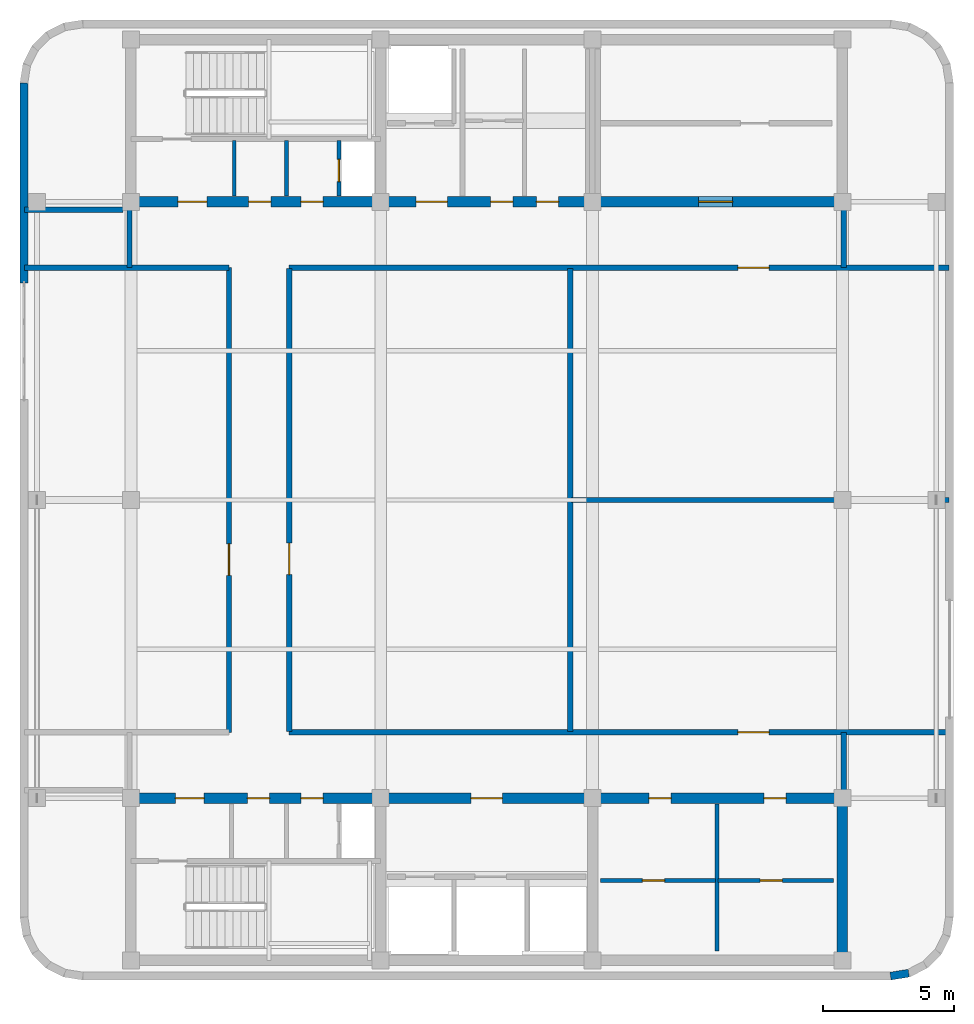
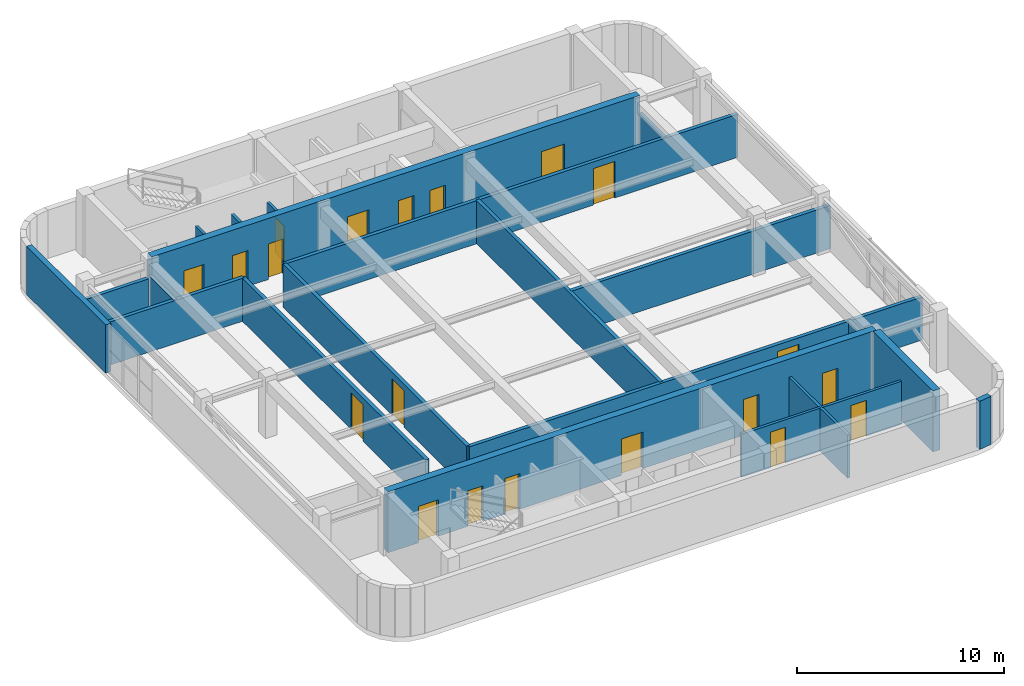
# One storey, part 5 of 9: 22 walls, 20 doors, 20 openings.
"""IFC4 building model written with IfcOpenShell, lengths in metres."""

from ifc_helpers import new_model, si_unit, direction, frame, frame_2d, origin, place, context, subcontext, project, spatial, rectangle, extrude, material, layer, layer_set, type_object, element, fill, save


model = new_model("IFC4")

# Units and contexts
model_context = context("Model", 3, precision=1e-05, world=origin(), true_north=direction((0.0, 1.0)))
body_context = subcontext(model_context, "Body", "Model", "MODEL_VIEW")
ifc_project = project(units=[si_unit("LENGTHUNIT", "METRE"), si_unit("AREAUNIT", "SQUARE_METRE"), si_unit("VOLUMEUNIT", "CUBIC_METRE"), si_unit("PLANEANGLEUNIT", "RADIAN"), si_unit("MASSUNIT", "GRAM", prefix="KILO")], contexts=[model_context])

# Site, building, storey
site_placement = place(None, origin())
site = spatial("IfcSite", under=ifc_project, at=site_placement, CompositionType="ELEMENT")
building_placement = place(site_placement, origin())
building = spatial("IfcBuilding", under=site, at=building_placement, Name="Svetorya Sky Lyceum", CompositionType="ELEMENT")
storey_placement = place(building_placement, frame((0.0, 0.0, 309.199951171875)))
storey = spatial("IfcBuildingStorey", under=building, at=storey_placement, Name="C03", CompositionType="ELEMENT", Elevation=309.199951171875)

# Wall
ifc_material_1 = material(Name="Concrete C40/50", Category="concrete")
ifc_layer_1 = layer(ifc_material_1, 0.39990234375)
ifc_layer_set_1 = layer_set([ifc_layer_1], Name="Concrete C40/50")
wall_type_1 = type_object("IfcWallType", Name="WL-CORE-400", PredefinedType="SHEAR", material=ifc_layer_set_1)
wall_1_placement = place(storey_placement, frame((52.800048828125, 10.800048828125, 0.0), z_axis=(0.0, 0.0, 1.0), x_axis=(0.0, 1.0, 0.0)))
element("IfcWall", 1, at=wall_1_placement, inside=storey, type_object=wall_type_1, Name="C03 SC East Core Shear Wall", PredefinedType="SHEAR", context=body_context, shape_type="SweptSolid", body=[
    extrude(rectangle(XDim=5.800048828125, YDim=0.39990234375, at=frame_2d((2.89990234375, 0.0))), origin(), (0.0, 0.0, 1.0), 3.60009765625),
])

# Wall, openings, doors
wall_2_placement = place(storey_placement, frame((25.60009765625, 16.800048828125, 0.0), z_axis=(0.0, 0.0, 1.0), x_axis=(1.0, 0.0, 0.0)))
wall_2 = element("IfcWall", 2, at=wall_2_placement, inside=storey, type_object=wall_type_1, Name="C03 SC Inner Core Shear Wall", PredefinedType="SHEAR", context=body_context, shape_type="SweptSolid", body=[
    extrude(rectangle(XDim=27.199951171875, YDim=0.39990234375, at=frame_2d((13.60009765625, 0.0))), origin(), (0.0, 0.0, 1.0), 3.60009765625),
])
opening_1_placement = place(wall_2_placement, frame((1.699951171875, 0.0, 0.0)))
opening_1 = element("IfcOpeningElement", 3, at=opening_1_placement, cuts=wall_2, Name="Opening D-ST1", PredefinedType="OPENING", context=body_context, shape_type="SweptSolid", body=[
    extrude(rectangle(XDim=1.10009765625, YDim=2.14990234375, at=frame_2d((0.550048828125, 1.074951171875))), frame((0.0, 0.2099609375, 0.0), z_axis=(0.0, -1.0, 0.0), x_axis=(1.0, 0.0, 0.0)), (0.0, 0.0, 1.0), 0.419921875),
])
opening_2_placement = place(wall_2_placement, frame((4.449951171875, 0.0, 0.0)))
opening_2 = element("IfcOpeningElement", 4, at=opening_2_placement, cuts=wall_2, Name="Opening D-CWC1", PredefinedType="OPENING", context=body_context, shape_type="SweptSolid", body=[
    extrude(rectangle(XDim=0.85009765625, YDim=2.10009765625, at=frame_2d((0.425048828125, 1.050048828125))), frame((0.0, 0.2099609375, 0.0), z_axis=(0.0, -1.0, 0.0), x_axis=(1.0, 0.0, 0.0)), (0.0, 0.0, 1.0), 0.419921875),
])
opening_3_placement = place(wall_2_placement, frame((6.5, 0.0, 0.0)))
opening_3 = element("IfcOpeningElement", 5, at=opening_3_placement, cuts=wall_2, Name="Opening D-CWC1", PredefinedType="OPENING", context=body_context, shape_type="SweptSolid", body=[
    extrude(rectangle(XDim=0.85009765625, YDim=2.10009765625, at=frame_2d((0.425048828125, 1.050048828125))), frame((0.0, 0.2099609375, 0.0), z_axis=(0.0, -1.0, 0.0), x_axis=(1.0, 0.0, 0.0)), (0.0, 0.0, 1.0), 0.419921875),
])
opening_4_placement = place(wall_2_placement, frame((13.0, 0.0, 0.0)))
opening_4 = element("IfcOpeningElement", 6, at=opening_4_placement, cuts=wall_2, Name="Opening D-FL1", PredefinedType="OPENING", context=body_context, shape_type="SweptSolid", body=[
    extrude(rectangle(XDim=1.199951171875, YDim=2.14990234375, at=frame_2d((0.60009765625, 1.074951171875))), frame((0.0, 0.2099609375, 0.0), z_axis=(0.0, -1.0, 0.0), x_axis=(1.0, 0.0, 0.0)), (0.0, 0.0, 1.0), 0.419921875),
])
opening_5_placement = place(wall_2_placement, frame((19.800048828125, 0.0, 0.0)))
opening_5 = element("IfcOpeningElement", 7, at=opening_5_placement, cuts=wall_2, Name="Opening D-CWC1", PredefinedType="OPENING", context=body_context, shape_type="SweptSolid", body=[
    extrude(rectangle(XDim=0.85009765625, YDim=2.10009765625, at=frame_2d((0.425048828125, 1.050048828125))), frame((0.0, 0.2099609375, 0.0), z_axis=(0.0, -1.0, 0.0), x_axis=(1.0, 0.0, 0.0)), (0.0, 0.0, 1.0), 0.419921875),
])
opening_6_placement = place(wall_2_placement, frame((24.199951171875, 0.0, 0.0)))
opening_6 = element("IfcOpeningElement", 8, at=opening_6_placement, cuts=wall_2, Name="Opening D-CWC1", PredefinedType="OPENING", context=body_context, shape_type="SweptSolid", body=[
    extrude(rectangle(XDim=0.85009765625, YDim=2.10009765625, at=frame_2d((0.425048828125, 1.050048828125))), frame((0.0, 0.2099609375, 0.0), z_axis=(0.0, -1.0, 0.0), x_axis=(1.0, 0.0, 0.0)), (0.0, 0.0, 1.0), 0.419921875),
])
ifc_material_2 = material(Name="Fire-rated galvanized steel core service closet door", Category="steel")
door_type_1 = type_object("IfcDoorType", Name="DR-CWET-850", OperationType="SINGLE_SWING_LEFT", PredefinedType="DOOR", material=ifc_material_2)
door_1_placement = place(opening_2_placement, origin())
door_1 = element("IfcDoor", 9, at=door_1_placement, inside=storey, type_object=door_type_1, Name="C03 South Mop Closet Door", OperationType="SINGLE_SWING_LEFT", OverallHeight=2.10009765625, OverallWidth=0.85009765625, PredefinedType="DOOR", context=body_context, shape_type="SweptSolid", body=[
    extrude(rectangle(XDim=0.85009765625, YDim=2.10009765625, at=frame_2d((0.425048828125, 1.050048828125))), frame((0.0, 0.02490234375, 0.0), z_axis=(0.0, -1.0, 0.0), x_axis=(1.0, 0.0, 0.0)), (0.0, 0.0, 1.0), 0.050048828125),
])
fill(opening_2, door_1)
door_2_placement = place(opening_3_placement, origin())
door_2 = element("IfcDoor", 10, at=door_2_placement, inside=storey, type_object=door_type_1, Name="C03 South West WC Door", OperationType="SINGLE_SWING_RIGHT", OverallHeight=2.10009765625, OverallWidth=0.85009765625, PredefinedType="DOOR", context=body_context, shape_type="SweptSolid", body=[
    extrude(rectangle(XDim=0.85009765625, YDim=2.10009765625, at=frame_2d((0.425048828125, 1.050048828125))), frame((0.0, 0.02490234375, 0.0), z_axis=(0.0, -1.0, 0.0), x_axis=(1.0, 0.0, 0.0)), (0.0, 0.0, 1.0), 0.050048828125),
])
fill(opening_3, door_2)
door_3_placement = place(opening_5_placement, origin())
door_3 = element("IfcDoor", 11, at=door_3_placement, inside=storey, type_object=door_type_1, Name="C03 Housekeeping Door", OperationType="SINGLE_SWING_LEFT", OverallHeight=2.10009765625, OverallWidth=0.85009765625, PredefinedType="DOOR", context=body_context, shape_type="SweptSolid", body=[
    extrude(rectangle(XDim=0.85009765625, YDim=2.10009765625, at=frame_2d((0.425048828125, 1.050048828125))), frame((0.0, 0.02490234375, 0.0), z_axis=(0.0, -1.0, 0.0), x_axis=(1.0, 0.0, 0.0)), (0.0, 0.0, 1.0), 0.050048828125),
])
fill(opening_5, door_3)
door_4_placement = place(opening_6_placement, origin())
door_4 = element("IfcDoor", 12, at=door_4_placement, inside=storey, type_object=door_type_1, Name="C03 South WC Door", OperationType="SINGLE_SWING_RIGHT", OverallHeight=2.10009765625, OverallWidth=0.85009765625, PredefinedType="DOOR", context=body_context, shape_type="SweptSolid", body=[
    extrude(rectangle(XDim=0.85009765625, YDim=2.10009765625, at=frame_2d((0.425048828125, 1.050048828125))), frame((0.0, 0.02490234375, 0.0), z_axis=(0.0, -1.0, 0.0), x_axis=(1.0, 0.0, 0.0)), (0.0, 0.0, 1.0), 0.050048828125),
])
fill(opening_6, door_4)
ifc_material_3 = material(Name="Powder-coated insulated galvanized stair fire door")
door_type_2 = type_object("IfcDoorType", Name="DR-FIRE-1100", OperationType="SINGLE_SWING_LEFT", PredefinedType="DOOR", material=ifc_material_3)
door_5_placement = place(opening_1_placement, origin())
door_5 = element("IfcDoor", 13, at=door_5_placement, inside=storey, type_object=door_type_2, Name="C03 South Stair Airlock Door", OperationType="SINGLE_SWING_RIGHT", OverallHeight=2.14990234375, OverallWidth=1.10009765625, PredefinedType="DOOR", context=body_context, shape_type="SweptSolid", body=[
    extrude(rectangle(XDim=1.10009765625, YDim=2.14990234375, at=frame_2d((0.550048828125, 1.074951171875))), frame((0.0, 0.02490234375, 0.0), z_axis=(0.0, -1.0, 0.0), x_axis=(1.0, 0.0, 0.0)), (0.0, 0.0, 1.0), 0.050048828125),
])
fill(opening_1, door_5)
ifc_material_4 = material(Name="Powder-coated insulated galvanized fire door")
door_type_3 = type_object("IfcDoorType", Name="DR-FIRE-1200", OperationType="SINGLE_SWING_LEFT", PredefinedType="DOOR", material=ifc_material_4)
door_6_placement = place(opening_4_placement, origin())
door_6 = element("IfcDoor", 14, at=door_6_placement, inside=storey, type_object=door_type_3, Name="C03 South Firefighting Lift Lobby Door", OperationType="SINGLE_SWING_LEFT", OverallHeight=2.14990234375, OverallWidth=1.199951171875, PredefinedType="DOOR", context=body_context, shape_type="SweptSolid", body=[
    extrude(rectangle(XDim=1.199951171875, YDim=2.14990234375, at=frame_2d((0.60009765625, 1.074951171875))), frame((0.0, 0.02490234375, 0.0), z_axis=(0.0, -1.0, 0.0), x_axis=(1.0, 0.0, 0.0)), (0.0, 0.0, 1.0), 0.050048828125),
])
fill(opening_4, door_6)

wall_3_placement = place(storey_placement, frame((52.800048828125, 39.60009765625, 0.0), z_axis=(0.0, 0.0, 1.0), x_axis=(-1.0, 0.0, 0.0)))
wall_3 = element("IfcWall", 15, at=wall_3_placement, inside=storey, type_object=wall_type_1, Name="C03 NC Inner Core Shear Wall", PredefinedType="SHEAR", context=body_context, shape_type="SweptSolid", body=[
    extrude(rectangle(XDim=27.199951171875, YDim=0.39990234375, at=frame_2d((13.60009765625, 0.0))), origin(), (0.0, 0.0, 1.0), 3.60009765625),
])
opening_7_placement = place(wall_3_placement, frame((24.300048828125, 0.0, 0.0)))
opening_7 = element("IfcOpeningElement", 16, at=opening_7_placement, cuts=wall_3, Name="Opening D-ST1", PredefinedType="OPENING", context=body_context, shape_type="SweptSolid", body=[
    extrude(rectangle(XDim=1.10009765625, YDim=2.14990234375, at=frame_2d((0.550048828125, 1.074951171875))), frame((0.0, 0.2099609375, 0.0), z_axis=(0.0, -1.0, 0.0), x_axis=(1.0, 0.0, 0.0)), (0.0, 0.0, 1.0), 0.419921875),
])
opening_8_placement = place(wall_3_placement, frame((21.85009765625, 0.0, 0.0)))
opening_8 = element("IfcOpeningElement", 17, at=opening_8_placement, cuts=wall_3, Name="Opening D-CWC1", PredefinedType="OPENING", context=body_context, shape_type="SweptSolid", body=[
    extrude(rectangle(XDim=0.85009765625, YDim=2.10009765625, at=frame_2d((0.425048828125, 1.050048828125))), frame((0.0, 0.2099609375, 0.0), z_axis=(0.0, -1.0, 0.0), x_axis=(1.0, 0.0, 0.0)), (0.0, 0.0, 1.0), 0.419921875),
])
opening_9_placement = place(wall_3_placement, frame((19.85009765625, 0.0, 0.0)))
opening_9 = element("IfcOpeningElement", 18, at=opening_9_placement, cuts=wall_3, Name="Opening D-CWC1", PredefinedType="OPENING", context=body_context, shape_type="SweptSolid", body=[
    extrude(rectangle(XDim=0.85009765625, YDim=2.10009765625, at=frame_2d((0.425048828125, 1.050048828125))), frame((0.0, 0.2099609375, 0.0), z_axis=(0.0, -1.0, 0.0), x_axis=(1.0, 0.0, 0.0)), (0.0, 0.0, 1.0), 0.419921875),
])
opening_10_placement = place(wall_3_placement, frame((15.10009765625, 0.0, 0.0)))
opening_10 = element("IfcOpeningElement", 19, at=opening_10_placement, cuts=wall_3, Name="Opening D-FL1", PredefinedType="OPENING", context=body_context, shape_type="SweptSolid", body=[
    extrude(rectangle(XDim=1.199951171875, YDim=2.14990234375, at=frame_2d((0.60009765625, 1.074951171875))), frame((0.0, 0.2099609375, 0.0), z_axis=(0.0, -1.0, 0.0), x_axis=(1.0, 0.0, 0.0)), (0.0, 0.0, 1.0), 0.419921875),
])
opening_11_placement = place(wall_3_placement, frame((12.60009765625, 0.0, 0.0)))
opening_11 = element("IfcOpeningElement", 20, at=opening_11_placement, cuts=wall_3, Name="Opening D-CWC1", PredefinedType="OPENING", context=body_context, shape_type="SweptSolid", body=[
    extrude(rectangle(XDim=0.85009765625, YDim=2.10009765625, at=frame_2d((0.425048828125, 1.050048828125))), frame((0.0, 0.2099609375, 0.0), z_axis=(0.0, -1.0, 0.0), x_axis=(1.0, 0.0, 0.0)), (0.0, 0.0, 1.0), 0.419921875),
])
opening_12_placement = place(wall_3_placement, frame((10.85009765625, 0.0, 0.0)))
opening_12 = element("IfcOpeningElement", 21, at=opening_12_placement, cuts=wall_3, Name="Opening D-CWC1", PredefinedType="OPENING", context=body_context, shape_type="SweptSolid", body=[
    extrude(rectangle(XDim=0.85009765625, YDim=2.10009765625, at=frame_2d((0.425048828125, 1.050048828125))), frame((0.0, 0.2099609375, 0.0), z_axis=(0.0, -1.0, 0.0), x_axis=(1.0, 0.0, 0.0)), (0.0, 0.0, 1.0), 0.419921875),
])
opening_13_placement = place(wall_3_placement, frame((4.199951171875, 0.0, 0.0)))
opening_13 = element("IfcOpeningElement", 22, at=opening_13_placement, cuts=wall_3, Name="Opening D-LB1", PredefinedType="OPENING", context=body_context, shape_type="SweptSolid", body=[
    extrude(rectangle(XDim=1.300048828125, YDim=2.199951171875, at=frame_2d((0.64990234375, 1.10009765625))), frame((0.0, 0.2099609375, 0.0), z_axis=(0.0, -1.0, 0.0), x_axis=(1.0, 0.0, 0.0)), (0.0, 0.0, 1.0), 0.419921875),
])
door_7_placement = place(opening_8_placement, origin())
door_7 = element("IfcDoor", 23, at=door_7_placement, inside=storey, type_object=door_type_1, Name="C03 North Cleaner Door", OperationType="SINGLE_SWING_RIGHT", OverallHeight=2.10009765625, OverallWidth=0.85009765625, PredefinedType="DOOR", context=body_context, shape_type="SweptSolid", body=[
    extrude(rectangle(XDim=0.85009765625, YDim=2.10009765625, at=frame_2d((0.425048828125, 1.050048828125))), frame((0.0, 0.02490234375, 0.0), z_axis=(0.0, -1.0, 0.0), x_axis=(1.0, 0.0, 0.0)), (0.0, 0.0, 1.0), 0.050048828125),
])
fill(opening_8, door_7)
door_8_placement = place(opening_9_placement, origin())
door_8 = element("IfcDoor", 24, at=door_8_placement, inside=storey, type_object=door_type_1, Name="C03 North Meter Door", OperationType="SINGLE_SWING_LEFT", OverallHeight=2.10009765625, OverallWidth=0.85009765625, PredefinedType="DOOR", context=body_context, shape_type="SweptSolid", body=[
    extrude(rectangle(XDim=0.85009765625, YDim=2.10009765625, at=frame_2d((0.425048828125, 1.050048828125))), frame((0.0, 0.02490234375, 0.0), z_axis=(0.0, -1.0, 0.0), x_axis=(1.0, 0.0, 0.0)), (0.0, 0.0, 1.0), 0.050048828125),
])
fill(opening_9, door_8)
door_9_placement = place(opening_11_placement, origin())
door_9 = element("IfcDoor", 25, at=door_9_placement, inside=storey, type_object=door_type_1, Name="C03 Cleaner Vestibule Door", OperationType="SINGLE_SWING_LEFT", OverallHeight=2.10009765625, OverallWidth=0.85009765625, PredefinedType="DOOR", context=body_context, shape_type="SweptSolid", body=[
    extrude(rectangle(XDim=0.85009765625, YDim=2.10009765625, at=frame_2d((0.425048828125, 1.050048828125))), frame((0.0, 0.02490234375, 0.0), z_axis=(0.0, -1.0, 0.0), x_axis=(1.0, 0.0, 0.0)), (0.0, 0.0, 1.0), 0.050048828125),
])
fill(opening_11, door_9)
door_10_placement = place(opening_12_placement, origin())
door_10 = element("IfcDoor", 26, at=door_10_placement, inside=storey, type_object=door_type_1, Name="C03 Upper Pram Store Door", OperationType="SINGLE_SWING_RIGHT", OverallHeight=2.10009765625, OverallWidth=0.85009765625, PredefinedType="DOOR", context=body_context, shape_type="SweptSolid", body=[
    extrude(rectangle(XDim=0.85009765625, YDim=2.10009765625, at=frame_2d((0.425048828125, 1.050048828125))), frame((0.0, 0.02490234375, 0.0), z_axis=(0.0, -1.0, 0.0), x_axis=(1.0, 0.0, 0.0)), (0.0, 0.0, 1.0), 0.050048828125),
])
fill(opening_12, door_10)
door_11_placement = place(opening_7_placement, origin())
door_11 = element("IfcDoor", 27, at=door_11_placement, inside=storey, type_object=door_type_2, Name="C03 North Stair Airlock Door", OperationType="SINGLE_SWING_LEFT", OverallHeight=2.14990234375, OverallWidth=1.10009765625, PredefinedType="DOOR", context=body_context, shape_type="SweptSolid", body=[
    extrude(rectangle(XDim=1.10009765625, YDim=2.14990234375, at=frame_2d((0.550048828125, 1.074951171875))), frame((0.0, 0.02490234375, 0.0), z_axis=(0.0, -1.0, 0.0), x_axis=(1.0, 0.0, 0.0)), (0.0, 0.0, 1.0), 0.050048828125),
])
fill(opening_7, door_11)
door_12_placement = place(opening_10_placement, origin())
door_12 = element("IfcDoor", 28, at=door_12_placement, inside=storey, type_object=door_type_3, Name="C03 North Firefighting Lift Lobby Door", OperationType="SINGLE_SWING_RIGHT", OverallHeight=2.14990234375, OverallWidth=1.199951171875, PredefinedType="DOOR", context=body_context, shape_type="SweptSolid", body=[
    extrude(rectangle(XDim=1.199951171875, YDim=2.14990234375, at=frame_2d((0.60009765625, 1.074951171875))), frame((0.0, 0.02490234375, 0.0), z_axis=(0.0, -1.0, 0.0), x_axis=(1.0, 0.0, 0.0)), (0.0, 0.0, 1.0), 0.050048828125),
])
fill(opening_10, door_12)
ifc_material_5 = material(Name="Glazed fire-rated aluminium lobby door", Category="aluminium")
door_type_4 = type_object("IfcDoorType", Name="DR-LOB-1300", OperationType="SINGLE_SWING_LEFT", PredefinedType="DOOR", material=ifc_material_5)
door_13_placement = place(opening_13_placement, origin())
door_13 = element("IfcDoor", 29, at=door_13_placement, inside=storey, type_object=door_type_4, Name="C03 Crown Access Lobby Door", OperationType="SINGLE_SWING_LEFT", OverallHeight=2.199951171875, OverallWidth=1.300048828125, PredefinedType="DOOR", context=body_context, shape_type="SweptSolid", body=[
    extrude(rectangle(XDim=1.300048828125, YDim=2.199951171875, at=frame_2d((0.64990234375, 1.10009765625))), frame((0.0, 0.02490234375, 0.0), z_axis=(0.0, -1.0, 0.0), x_axis=(1.0, 0.0, 0.0)), (0.0, 0.0, 1.0), 0.050048828125),
])
fill(opening_13, door_13)

# Walls
ifc_material_6 = material(Name="Putilovo limestone rainscreen on autoclaved cellular masonry", Category="masonry")
ifc_layer_2 = layer(ifc_material_6, 0.300048828125)
ifc_layer_set_2 = layer_set([ifc_layer_2], Name="Putilovo limestone rainscreen on autoclaved cellular masonry")
wall_type_2 = type_object("IfcWallType", Name="WL-EXT-300", PredefinedType="SOLIDWALL", material=ifc_layer_set_2)
wall_4_placement = place(storey_placement, frame((54.639892578125, 10.0, 0.0), z_axis=(0.0, 0.0, 1.0), x_axis=(0.987692567255, 0.156407776626, 0.0)))
element("IfcWall", 30, at=wall_4_placement, inside=storey, type_object=wall_type_2, Name="C03 Limestone Exterior Wall 7M", PredefinedType="SOLIDWALL", context=body_context, shape_type="SweptSolid", body=[
    extrude(rectangle(XDim=0.703857421875, YDim=0.300048828125, at=frame_2d((0.35205078125, 0.0))), origin(), (0.0, 0.0, 1.0), 2.840087890625),
])
wall_5_placement = place(storey_placement, frame((21.510009765625, 44.14990234375, 0.0), z_axis=(0.0, 0.0, 1.0), x_axis=(0.0, -1.0, 0.0)))
element("IfcWall", 31, at=wall_5_placement, inside=storey, type_object=wall_type_2, Name="C03 Limestone Exterior Wall 24A", PredefinedType="SOLIDWALL", context=body_context, shape_type="SweptSolid", body=[
    extrude(rectangle(XDim=7.64990234375, YDim=0.300048828125, at=frame_2d((3.824951171875, 0.0))), origin(), (0.0, 0.0, 1.0), 2.840087890625),
])
ifc_material_7 = material(Name="Autoclaved cellular masonry blockwork with acoustic render", Category="masonry")
ifc_layer_3 = layer(ifc_material_7, 0.14990234375)
ifc_layer_set_3 = layer_set([ifc_layer_3], Name="Autoclaved cellular masonry blockwork with acoustic render")
wall_type_3 = type_object("IfcWallType", Name="WL-PART-150", PredefinedType="PARTITIONING", material=ifc_layer_set_3)
wall_6_placement = place(storey_placement, frame((48.0, 10.949951171875, 0.0), z_axis=(0.0, 0.0, 1.0), x_axis=(0.0, 1.0, 0.0)))
element("IfcWall", 32, at=wall_6_placement, inside=storey, type_object=wall_type_3, Name="C03 Interior Partition SC-LV7-V", PredefinedType="PARTITIONING", context=body_context, shape_type="SweptSolid", body=[
    extrude(rectangle(XDim=5.630126953125, YDim=0.14990234375, at=frame_2d((2.81494140625, 0.0))), origin(), (0.0, 0.0, 1.0), 2.5400390625),
])

# Wall, opening, door
wall_7_placement = place(storey_placement, frame((43.550048828125, 13.64990234375, 0.0), z_axis=(0.0, 0.0, 1.0), x_axis=(1.0, 0.0, 0.0)))
wall_7 = element("IfcWall", 33, at=wall_7_placement, inside=storey, type_object=wall_type_3, Name="C03 Interior Partition SC-LV7-HW", PredefinedType="PARTITIONING", context=body_context, shape_type="SweptSolid", body=[
    extrude(rectangle(XDim=4.39990234375, YDim=0.14990234375, at=frame_2d((2.199951171875, 0.0))), origin(), (0.0, 0.0, 1.0), 2.5400390625),
])
opening_14_placement = place(wall_7_placement, frame((1.60009765625, 0.0, 0.0)))
opening_14 = element("IfcOpeningElement", 34, at=opening_14_placement, cuts=wall_7, Name="Opening D-CWC1", PredefinedType="OPENING", context=body_context, shape_type="SweptSolid", body=[
    extrude(rectangle(XDim=0.85009765625, YDim=2.10009765625, at=frame_2d((0.425048828125, 1.050048828125))), frame((0.0, 0.0849609375, 0.0), z_axis=(0.0, -1.0, 0.0), x_axis=(1.0, 0.0, 0.0)), (0.0, 0.0, 1.0), 0.169921875),
])
door_14_placement = place(opening_14_placement, origin())
door_14 = element("IfcDoor", 35, at=door_14_placement, inside=storey, type_object=door_type_1, Name="C03 South Electrical Room Door", OperationType="SINGLE_SWING_LEFT", OverallHeight=2.10009765625, OverallWidth=0.85009765625, PredefinedType="DOOR", context=body_context, shape_type="SweptSolid", body=[
    extrude(rectangle(XDim=0.85009765625, YDim=2.10009765625, at=frame_2d((0.425048828125, 1.050048828125))), frame((0.0, 0.02490234375, 0.0), z_axis=(0.0, -1.0, 0.0), x_axis=(1.0, 0.0, 0.0)), (0.0, 0.0, 1.0), 0.050048828125),
])
fill(opening_14, door_14)

wall_8_placement = place(storey_placement, frame((48.050048828125, 13.64990234375, 0.0), z_axis=(0.0, 0.0, 1.0), x_axis=(1.0, 0.0, 0.0)))
wall_8 = element("IfcWall", 36, at=wall_8_placement, inside=storey, type_object=wall_type_3, Name="C03 Interior Partition SC-LV7-HE", PredefinedType="PARTITIONING", context=body_context, shape_type="SweptSolid", body=[
    extrude(rectangle(XDim=4.39990234375, YDim=0.14990234375, at=frame_2d((2.199951171875, 0.0))), origin(), (0.0, 0.0, 1.0), 2.5400390625),
])
opening_15_placement = place(wall_8_placement, frame((1.60009765625, 0.0, 0.0)))
opening_15 = element("IfcOpeningElement", 37, at=opening_15_placement, cuts=wall_8, Name="Opening D-CWC1", PredefinedType="OPENING", context=body_context, shape_type="SweptSolid", body=[
    extrude(rectangle(XDim=0.85009765625, YDim=2.10009765625, at=frame_2d((0.425048828125, 1.050048828125))), frame((0.0, 0.0849609375, 0.0), z_axis=(0.0, -1.0, 0.0), x_axis=(1.0, 0.0, 0.0)), (0.0, 0.0, 1.0), 0.169921875),
])
door_15_placement = place(opening_15_placement, origin())
door_15 = element("IfcDoor", 38, at=door_15_placement, inside=storey, type_object=door_type_1, Name="C03 South Server Closet Door", OperationType="SINGLE_SWING_RIGHT", OverallHeight=2.10009765625, OverallWidth=0.85009765625, PredefinedType="DOOR", context=body_context, shape_type="SweptSolid", body=[
    extrude(rectangle(XDim=0.85009765625, YDim=2.10009765625, at=frame_2d((0.425048828125, 1.050048828125))), frame((0.0, 0.02490234375, 0.0), z_axis=(0.0, -1.0, 0.0), x_axis=(1.0, 0.0, 0.0)), (0.0, 0.0, 1.0), 0.050048828125),
])
fill(opening_15, door_15)

wall_9_placement = place(storey_placement, frame((33.550048828125, 39.820068359375, 0.0), z_axis=(0.0, 0.0, 1.0), x_axis=(0.0, 1.0, 0.0)))
wall_9 = element("IfcWall", 39, at=wall_9_placement, inside=storey, type_object=wall_type_3, Name="C03 Interior Partition NC-RSRW", PredefinedType="PARTITIONING", context=body_context, shape_type="SweptSolid", body=[
    extrude(rectangle(XDim=2.1298828125, YDim=0.14990234375, at=frame_2d((1.06494140625, 0.0))), origin(), (0.0, 0.0, 1.0), 2.5400390625),
])
opening_16_placement = place(wall_9_placement, frame((0.550048828125, 0.0, 0.0)))
opening_16 = element("IfcOpeningElement", 40, at=opening_16_placement, cuts=wall_9, Name="Opening D-SH1", PredefinedType="OPENING", context=body_context, shape_type="SweptSolid", body=[
    extrude(rectangle(XDim=0.85009765625, YDim=2.050048828125, at=frame_2d((0.425048828125, 1.02490234375))), frame((0.0, 0.0849609375, 0.0), z_axis=(0.0, -1.0, 0.0), x_axis=(1.0, 0.0, 0.0)), (0.0, 0.0, 1.0), 0.169921875),
])
ifc_material_8 = material(Name="Insulated galvanized riser inspection fire door")
door_type_5 = type_object("IfcDoorType", Name="DR-SHFT-850", OperationType="SINGLE_SWING_LEFT", PredefinedType="TRAPDOOR", material=ifc_material_8)
door_16_placement = place(opening_16_placement, origin())
door_16 = element("IfcDoor", 41, at=door_16_placement, inside=storey, type_object=door_type_5, Name="C03 North Riser Access Door", OperationType="SINGLE_SWING_LEFT", OverallHeight=2.050048828125, OverallWidth=0.85009765625, PredefinedType="TRAPDOOR", context=body_context, shape_type="SweptSolid", body=[
    extrude(rectangle(XDim=0.85009765625, YDim=2.050048828125, at=frame_2d((0.425048828125, 1.02490234375))), frame((0.0, 0.02490234375, 0.0), z_axis=(0.0, -1.0, 0.0), x_axis=(1.0, 0.0, 0.0)), (0.0, 0.0, 1.0), 0.050048828125),
])
fill(opening_16, door_16)

# Walls
for number, where, z_axis, x_axis, name in (
    (42, (29.550048828125, 39.820068359375, 0.0), (0.0, 0.0, 1.0), (0.0, 1.0, 0.0), "C03 Interior Partition NC-NWD1"),
    (43, (31.550048828125, 39.820068359375, 0.0), (0.0, 0.0, 1.0), (0.0, 1.0, 0.0), "C03 Interior Partition NC-NWD2"),
):
    element("IfcWall", number, at=place(storey_placement, frame(where, z_axis=z_axis, x_axis=x_axis)), inside=storey, type_object=wall_type_3, Name=name, PredefinedType="PARTITIONING", context=body_context, shape_type="SweptSolid", body=[
        extrude(rectangle(XDim=2.1298828125, YDim=0.14990234375, at=frame_2d((1.06494140625, 0.0))), origin(), (0.0, 0.0, 1.0), 2.5400390625),
    ])
ifc_material_9 = material(Name="Autoclaved cellular masonry blockwork with gypsum plaster", Category="masonry")
ifc_layer_4 = layer(ifc_material_9, 0.199951171875)
ifc_layer_set_4 = layer_set([ifc_layer_4], Name="Autoclaved cellular masonry blockwork with gypsum plaster")
wall_type_4 = type_object("IfcWallType", Name="WL-PART-200", PredefinedType="PARTITIONING", material=ifc_layer_set_4)
wall_10_placement = place(storey_placement, frame((21.530029296875, 37.080078125, 0.0), z_axis=(0.0, 0.0, 1.0), x_axis=(1.0, 0.0, 0.0)))
element("IfcWall", 44, at=wall_10_placement, inside=storey, type_object=wall_type_4, Name="C03 Interior Partition PL-NW", PredefinedType="PARTITIONING", context=body_context, shape_type="SweptSolid", body=[
    extrude(rectangle(XDim=7.820068359375, YDim=0.199951171875, at=frame_2d((3.91015625, 0.0))), origin(), (0.0, 0.0, 1.0), 2.5400390625),
])

# Wall, opening, door
wall_11_placement = place(storey_placement, frame((29.35009765625, 19.320068359375, 0.0), z_axis=(0.0, 0.0, 1.0), x_axis=(0.0, 1.0, 0.0)))
wall_11 = element("IfcWall", 45, at=wall_11_placement, inside=storey, type_object=wall_type_4, Name="C03 Interior Partition PL-W1", PredefinedType="PARTITIONING", context=body_context, shape_type="SweptSolid", body=[
    extrude(rectangle(XDim=17.760009765625, YDim=0.199951171875, at=frame_2d((8.8798828125, 0.0))), origin(), (0.0, 0.0, 1.0), 2.5400390625),
])
opening_17_placement = place(wall_11_placement, frame((6.0, 0.0, 0.0)))
opening_17 = element("IfcOpeningElement", 46, at=opening_17_placement, cuts=wall_11, Name="Opening D-FL1", PredefinedType="OPENING", context=body_context, shape_type="SweptSolid", body=[
    extrude(rectangle(XDim=1.199951171875, YDim=2.14990234375, at=frame_2d((0.60009765625, 1.074951171875))), frame((0.0, 0.10986328125, 0.0), z_axis=(0.0, -1.0, 0.0), x_axis=(1.0, 0.0, 0.0)), (0.0, 0.0, 1.0), 0.219970703125),
])
door_17_placement = place(opening_17_placement, origin())
door_17 = element("IfcDoor", 47, at=door_17_placement, inside=storey, type_object=door_type_3, Name="C03 West Plant Door", OperationType="SINGLE_SWING_LEFT", OverallHeight=2.14990234375, OverallWidth=1.199951171875, PredefinedType="DOOR", context=body_context, shape_type="SweptSolid", body=[
    extrude(rectangle(XDim=1.199951171875, YDim=2.14990234375, at=frame_2d((0.60009765625, 1.074951171875))), frame((0.0, 0.02490234375, 0.0), z_axis=(0.0, -1.0, 0.0), x_axis=(1.0, 0.0, 0.0)), (0.0, 0.0, 1.0), 0.050048828125),
])
fill(opening_17, door_17)

wall_12_placement = place(storey_placement, frame((31.64990234375, 19.35009765625, 0.0), z_axis=(0.0, 0.0, 1.0), x_axis=(0.0, 1.0, 0.0)))
wall_12 = element("IfcWall", 48, at=wall_12_placement, inside=storey, type_object=wall_type_4, Name="C03 Interior Partition PL-W2", PredefinedType="PARTITIONING", context=body_context, shape_type="SweptSolid", body=[
    extrude(rectangle(XDim=17.699951171875, YDim=0.199951171875, at=frame_2d((8.85009765625, 0.0))), origin(), (0.0, 0.0, 1.0), 2.5400390625),
])
opening_18_placement = place(wall_12_placement, frame((6.0, 0.0, 0.0)))
opening_18 = element("IfcOpeningElement", 49, at=opening_18_placement, cuts=wall_12, Name="Opening D-FL1", PredefinedType="OPENING", context=body_context, shape_type="SweptSolid", body=[
    extrude(rectangle(XDim=1.199951171875, YDim=2.14990234375, at=frame_2d((0.60009765625, 1.074951171875))), frame((0.0, 0.10986328125, 0.0), z_axis=(0.0, -1.0, 0.0), x_axis=(1.0, 0.0, 0.0)), (0.0, 0.0, 1.0), 0.219970703125),
])
door_18_placement = place(opening_18_placement, origin())
door_18 = element("IfcDoor", 50, at=door_18_placement, inside=storey, type_object=door_type_3, Name="C03 Central Plant Door", OperationType="SINGLE_SWING_RIGHT", OverallHeight=2.14990234375, OverallWidth=1.199951171875, PredefinedType="DOOR", context=body_context, shape_type="SweptSolid", body=[
    extrude(rectangle(XDim=1.199951171875, YDim=2.14990234375, at=frame_2d((0.60009765625, 1.074951171875))), frame((0.0, 0.02490234375, 0.0), z_axis=(0.0, -1.0, 0.0), x_axis=(1.0, 0.0, 0.0)), (0.0, 0.0, 1.0), 0.050048828125),
])
fill(opening_18, door_18)

# Walls
wall_13_placement = place(storey_placement, frame((42.39990234375, 19.35009765625, 0.0), z_axis=(0.0, 0.0, 1.0), x_axis=(0.0, 1.0, 0.0)))
element("IfcWall", 51, at=wall_13_placement, inside=storey, type_object=wall_type_4, Name="C03 Interior Partition PL-W3", PredefinedType="PARTITIONING", context=body_context, shape_type="SweptSolid", body=[
    extrude(rectangle(XDim=17.699951171875, YDim=0.199951171875, at=frame_2d((8.85009765625, 0.0))), origin(), (0.0, 0.0, 1.0), 2.5400390625),
])
wall_14_placement = place(storey_placement, frame((42.449951171875, 28.199951171875, 0.0), z_axis=(0.0, 0.0, 1.0), x_axis=(1.0, 0.0, 0.0)))
element("IfcWall", 52, at=wall_14_placement, inside=storey, type_object=wall_type_4, Name="C03 Interior Partition PL-H3", PredefinedType="PARTITIONING", context=body_context, shape_type="SweptSolid", body=[
    extrude(rectangle(XDim=14.420166015625, YDim=0.199951171875, at=frame_2d((7.2099609375, 0.0))), origin(), (0.0, 0.0, 1.0), 2.5400390625),
])

# Wall, opening, door
wall_15_placement = place(storey_placement, frame((31.64990234375, 19.320068359375, 0.0), z_axis=(0.0, 0.0, 1.0), x_axis=(1.0, 0.0, 0.0)))
wall_15 = element("IfcWall", 53, at=wall_15_placement, inside=storey, type_object=wall_type_4, Name="C03 Interior Partition PL-S", PredefinedType="PARTITIONING", context=body_context, shape_type="SweptSolid", body=[
    extrude(rectangle(XDim=25.22021484375, YDim=0.199951171875, at=frame_2d((12.610107421875, 0.0))), origin(), (0.0, 0.0, 1.0), 2.5400390625),
])
opening_19_placement = place(wall_15_placement, frame((17.14990234375, 0.0, 0.0)))
opening_19 = element("IfcOpeningElement", 54, at=opening_19_placement, cuts=wall_15, Name="Opening D-FL1", PredefinedType="OPENING", context=body_context, shape_type="SweptSolid", body=[
    extrude(rectangle(XDim=1.199951171875, YDim=2.14990234375, at=frame_2d((0.60009765625, 1.074951171875))), frame((0.0, 0.10986328125, 0.0), z_axis=(0.0, -1.0, 0.0), x_axis=(1.0, 0.0, 0.0)), (0.0, 0.0, 1.0), 0.219970703125),
])
door_19_placement = place(opening_19_placement, origin())
door_19 = element("IfcDoor", 55, at=door_19_placement, inside=storey, type_object=door_type_3, Name="C03 South-East Plant Door", OperationType="SINGLE_SWING_LEFT", OverallHeight=2.14990234375, OverallWidth=1.199951171875, PredefinedType="DOOR", context=body_context, shape_type="SweptSolid", body=[
    extrude(rectangle(XDim=1.199951171875, YDim=2.14990234375, at=frame_2d((0.60009765625, 1.074951171875))), frame((0.0, 0.02490234375, 0.0), z_axis=(0.0, -1.0, 0.0), x_axis=(1.0, 0.0, 0.0)), (0.0, 0.0, 1.0), 0.050048828125),
])
fill(opening_19, door_19)

wall_16_placement = place(storey_placement, frame((56.8701171875, 37.080078125, 0.0), z_axis=(0.0, 0.0, 1.0), x_axis=(-1.0, 0.0, 0.0)))
wall_16 = element("IfcWall", 56, at=wall_16_placement, inside=storey, type_object=wall_type_4, Name="C03 Interior Partition PL-N", PredefinedType="PARTITIONING", context=body_context, shape_type="SweptSolid", body=[
    extrude(rectangle(XDim=25.22021484375, YDim=0.199951171875, at=frame_2d((12.610107421875, 0.0))), origin(), (0.0, 0.0, 1.0), 2.5400390625),
])
opening_20_placement = place(wall_16_placement, frame((6.8701171875, 0.0, 0.0)))
opening_20 = element("IfcOpeningElement", 57, at=opening_20_placement, cuts=wall_16, Name="Opening D-FL1", PredefinedType="OPENING", context=body_context, shape_type="SweptSolid", body=[
    extrude(rectangle(XDim=1.199951171875, YDim=2.14990234375, at=frame_2d((0.60009765625, 1.074951171875))), frame((0.0, 0.10986328125, 0.0), z_axis=(0.0, -1.0, 0.0), x_axis=(1.0, 0.0, 0.0)), (0.0, 0.0, 1.0), 0.219970703125),
])
door_20_placement = place(opening_20_placement, origin())
door_20 = element("IfcDoor", 58, at=door_20_placement, inside=storey, type_object=door_type_3, Name="C03 North-East Plant Door", OperationType="SINGLE_SWING_RIGHT", OverallHeight=2.14990234375, OverallWidth=1.199951171875, PredefinedType="DOOR", context=body_context, shape_type="SweptSolid", body=[
    extrude(rectangle(XDim=1.199951171875, YDim=2.14990234375, at=frame_2d((0.60009765625, 1.074951171875))), frame((0.0, 0.02490234375, 0.0), z_axis=(0.0, -1.0, 0.0), x_axis=(1.0, 0.0, 0.0)), (0.0, 0.0, 1.0), 0.050048828125),
])
fill(opening_20, door_20)

# Walls
wall_17_placement = place(storey_placement, frame((52.85009765625, 16.949951171875, 0.0), z_axis=(0.0, 0.0, 1.0), x_axis=(0.0, 1.0, 0.0)))
element("IfcWall", 59, at=wall_17_placement, inside=storey, type_object=wall_type_4, Name="C03 Interior Partition PL-SE-END", PredefinedType="PARTITIONING", context=body_context, shape_type="SweptSolid", body=[
    extrude(rectangle(XDim=2.3701171875, YDim=0.199951171875, at=frame_2d((1.18505859375, 0.0))), origin(), (0.0, 0.0, 1.0), 2.5400390625),
])
for number, where, z_axis, x_axis, name in (
    (60, (52.85009765625, 37.080078125, 0.0), (0.0, 0.0, 1.0), (0.0, 1.0, 0.0), "C03 Interior Partition PL-NE-END"),
    (61, (25.550048828125, 37.080078125, 0.0), (0.0, 0.0, 1.0), (0.0, 1.0, 0.0), "C03 Interior Partition PL-NW-END"),
):
    element("IfcWall", number, at=place(storey_placement, frame(where, z_axis=z_axis, x_axis=x_axis)), inside=storey, type_object=wall_type_4, Name=name, PredefinedType="PARTITIONING", context=body_context, shape_type="SweptSolid", body=[
        extrude(rectangle(XDim=2.369873046875, YDim=0.199951171875, at=frame_2d((1.18505859375, 0.0))), origin(), (0.0, 0.0, 1.0), 2.5400390625),
    ])
wall_18_placement = place(storey_placement, frame((21.530029296875, 39.300048828125, 0.0), z_axis=(0.0, 0.0, 1.0), x_axis=(1.0, 0.0, 0.0)))
element("IfcWall", 62, at=wall_18_placement, inside=storey, type_object=wall_type_4, Name="C03 Interior Partition PL-WN-CAP", PredefinedType="PARTITIONING", context=body_context, shape_type="SweptSolid", body=[
    extrude(rectangle(XDim=3.77001953125, YDim=0.199951171875, at=frame_2d((1.885009765625, 0.0))), origin(), (0.0, 0.0, 1.0), 2.5400390625),
])

save(model, "model.ifc")
